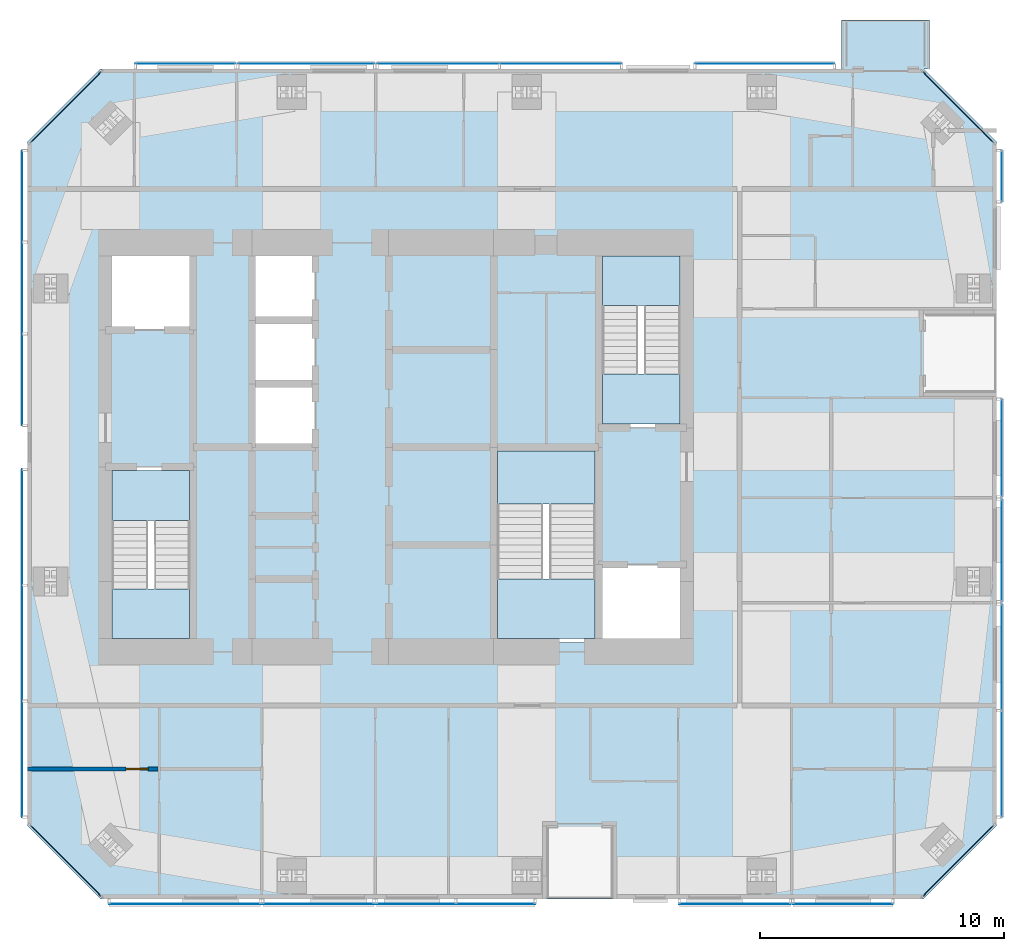
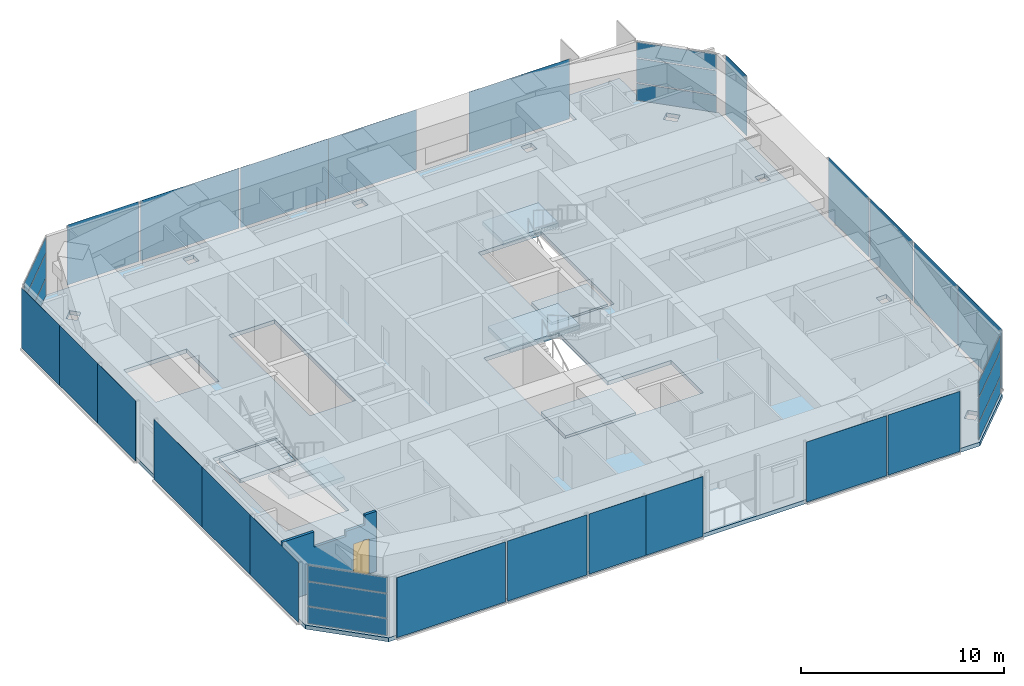
# One storey, part 13 of 20: 34 plates, 7 slabs, 1 door, 1 wall, 1 opening, 22 elements without a shape of their own.
"""IFC4 building model written with IfcOpenShell, lengths in metres."""

from ifc_helpers import new_model, si_unit, direction, frame, frame_2d, origin, origin_2d, place, context, subcontext, project, spatial, polyline, rectangle, outline, extrude, material, layer, layer_set, constituent, constituent_set, type_object, element, fill, aggregate, save


model = new_model("IFC4")

# Units and contexts
model_context = context("Model", 3, precision=1e-05, world=origin(), true_north=direction((0.0, 1.0)))
body_context = subcontext(model_context, "Body", "Model", "MODEL_VIEW")
ifc_project = project(units=[si_unit("LENGTHUNIT", "METRE"), si_unit("AREAUNIT", "SQUARE_METRE"), si_unit("VOLUMEUNIT", "CUBIC_METRE"), si_unit("PLANEANGLEUNIT", "RADIAN"), si_unit("MASSUNIT", "GRAM", prefix="KILO")], contexts=[model_context])

# Site, building, storey
site_placement = place(None, origin())
site = spatial("IfcSite", under=ifc_project, at=site_placement, CompositionType="ELEMENT")
building_placement = place(site_placement, origin())
building = spatial("IfcBuilding", under=site, at=building_placement, Name="Jalousie Tower", CompositionType="ELEMENT")
storey_placement = place(building_placement, frame((0.0, 0.0, 263.85009765625)))
storey = spatial("IfcBuildingStorey", under=building, at=storey_placement, Name="L72", CompositionType="ELEMENT", Elevation=263.85009765625)

# Slab
ifc_material_1 = material(Name="Concrete f'c 40 MPa", Category="concrete")
ifc_layer_1 = layer(ifc_material_1, 0.239990234375)
ifc_layer_set_1 = layer_set([ifc_layer_1], Name="Concrete f'c 40 MPa")
slab_type_1 = type_object("IfcSlabType", Name="FLOOR SLAB 240", PredefinedType="FLOOR", material=ifc_layer_set_1)
slab_1_placement = place(storey_placement, frame((0.0, 0.0, -0.239990234375)))
element("IfcSlab", 1, at=slab_1_placement, inside=storey, type_object=slab_type_1, Name="L72 floor slab", PredefinedType="FLOOR", context=body_context, shape_type="SweptSolid", body=[
    extrude(outline(polyline([(16.800048828125, 3.0), (16.800048828125, 31.0), (19.800048828125, 34.0), (50.148681640625, 34.0), (50.148681640625, 36.0), (53.748779296875, 36.0), (53.748779296875, 34.0), (53.5, 34.0), (56.5, 31.0), (56.5, 3.0), (53.5, 0.0), (19.800048828125, 0.0), (16.800048828125, 3.0)]), holes=[polyline([(55.263916015625, 13.300048828125), (55.263916015625, 12.699951171875), (55.836181640625, 12.699951171875), (55.836181640625, 13.300048828125), (55.263916015625, 13.300048828125)]), polyline([(55.836181640625, 24.699951171875), (55.836181640625, 25.300048828125), (55.263916015625, 25.300048828125), (55.263916015625, 24.699951171875), (55.836181640625, 24.699951171875)]), polyline([(54.247802734375, 32.242919921875), (53.843017578125, 31.837890625), (54.337890625, 31.343017578125), (54.742919921875, 31.747802734375), (54.247802734375, 32.242919921875)]), polyline([(54.247802734375, 1.757080078125), (54.742919921875, 2.252197265625), (54.337890625, 2.656982421875), (53.843017578125, 2.162109375), (54.247802734375, 1.757080078125)]), polyline([(46.574951171875, 32.763916015625), (47.175048828125, 32.763916015625), (47.175048828125, 33.336181640625), (46.574951171875, 33.336181640625), (46.574951171875, 32.763916015625)]), polyline([(46.574951171875, 0.663818359375), (47.175048828125, 0.663818359375), (47.175048828125, 1.236083984375), (46.574951171875, 1.236083984375), (46.574951171875, 0.663818359375)]), polyline([(43.800048828125, 10.5), (43.800048828125, 13.699951171875), (40.199951171875, 13.699951171875), (40.199951171875, 18.5), (35.89990234375, 18.5), (35.89990234375, 10.5), (43.800048828125, 10.5)]), polyline([(43.800048828125, 19.300048828125), (43.800048828125, 26.5), (40.199951171875, 26.5), (40.199951171875, 19.300048828125), (43.800048828125, 19.300048828125)]), polyline([(36.949951171875, 32.763916015625), (37.550048828125, 32.763916015625), (37.550048828125, 33.336181640625), (36.949951171875, 33.336181640625), (36.949951171875, 32.763916015625)]), polyline([(37.550048828125, 1.236083984375), (36.949951171875, 1.236083984375), (36.949951171875, 0.663818359375), (37.550048828125, 0.663818359375), (37.550048828125, 1.236083984375)]), polyline([(28.60009765625, 18.5), (28.60009765625, 26.5), (26.0, 26.5), (26.0, 18.5), (28.60009765625, 18.5)]), polyline([(27.324951171875, 32.763916015625), (27.925048828125, 32.763916015625), (27.925048828125, 33.336181640625), (27.324951171875, 33.336181640625), (27.324951171875, 32.763916015625)]), polyline([(27.324951171875, 0.663818359375), (27.925048828125, 0.663818359375), (27.925048828125, 1.236083984375), (27.324951171875, 1.236083984375), (27.324951171875, 0.663818359375)]), polyline([(23.60009765625, 23.300048828125), (23.60009765625, 26.5), (20.0, 26.5), (20.0, 23.300048828125), (23.60009765625, 23.300048828125)]), polyline([(23.60009765625, 10.5), (23.60009765625, 17.699951171875), (20.0, 17.699951171875), (20.0, 10.5), (23.60009765625, 10.5)]), polyline([(19.757080078125, 2.252197265625), (20.252197265625, 1.757080078125), (20.656982421875, 2.162109375), (20.162109375, 2.656982421875), (19.757080078125, 2.252197265625)]), polyline([(19.757080078125, 31.747802734375), (20.162109375, 31.343017578125), (20.656982421875, 31.837890625), (20.252197265625, 32.242919921875), (19.757080078125, 31.747802734375)]), polyline([(18.0361328125, 12.699951171875), (18.0361328125, 13.300048828125), (17.4638671875, 13.300048828125), (17.4638671875, 12.699951171875), (18.0361328125, 12.699951171875)]), polyline([(17.4638671875, 25.300048828125), (17.4638671875, 24.699951171875), (18.0361328125, 24.699951171875), (18.0361328125, 25.300048828125), (17.4638671875, 25.300048828125)])]), origin(), (0.0, 0.0, 1.0), 0.239990234375),
])

# Curtain wall, plates
ifc_material_2 = material(Name="Aluminium curtain wall", Category="aluminium")
curtain_wall_type_1 = type_object("IfcCurtainWallType", Name="PENTHOUSE CORNER WINDOW WALL", PredefinedType="USERDEFINED", material=ifc_material_2)
curtain_wall_1_placement = place(storey_placement, origin())
curtain_wall_1 = element("IfcCurtainWall", 2, at=curtain_wall_1_placement, inside=storey, type_object=curtain_wall_type_1, Name="Penthouse Corner Window Wall L72 2", ObjectType="PENTHOUSE CORNER WINDOW WALL", PredefinedType="USERDEFINED")
ifc_material_3 = material(Name="Laminated impact-rated spandrel glass", Category="glass")
ifc_layer_2 = layer(ifc_material_3, 0.033935546875)
ifc_layer_set_2 = layer_set([ifc_layer_2], Name="Laminated impact-rated spandrel glass")
plate_type_1 = type_object("IfcPlateType", Name="PENTHOUSE CORNER WINDOW WALL PANEL", PredefinedType="CURTAIN_PANEL", material=ifc_layer_set_2)
plate_1_placement = place(storey_placement, frame((54.9306640625, 1.5693359375, 0.06005859375), z_axis=(0.0, 0.0, 1.0), x_axis=(0.707106781187, 0.707106781187, 0.0)))
plate_1 = element("IfcPlate", 3, at=plate_1_placement, type_object=plate_type_1, Name="CW-H panel 1.1", PredefinedType="CURTAIN_PANEL", context=body_context, shape_type="SweptSolid", body=[
    extrude(rectangle(XDim=4.071533203125, YDim=0.033935546875, at=origin_2d()), origin(), (0.0, 0.0, 1.0), 1.010009765625),
])
plate_2_placement = place(storey_placement, frame((54.9306640625, 1.5693359375, 1.1298828125), z_axis=(0.0, 0.0, 1.0), x_axis=(0.707106781187, 0.707106781187, 0.0)))
plate_2 = element("IfcPlate", 4, at=plate_2_placement, type_object=plate_type_1, Name="CW-H panel 1.2", PredefinedType="CURTAIN_PANEL", context=body_context, shape_type="SweptSolid", body=[
    extrude(rectangle(XDim=4.071533203125, YDim=0.033935546875, at=origin_2d()), origin(), (0.0, 0.0, 1.0), 1.43994140625),
])
plate_3_placement = place(storey_placement, frame((54.9306640625, 1.5693359375, 2.6298828125), z_axis=(0.0, 0.0, 1.0), x_axis=(0.707106781187, 0.707106781187, 0.0)))
plate_3 = element("IfcPlate", 5, at=plate_3_placement, type_object=plate_type_1, Name="CW-H panel 1.3", PredefinedType="CURTAIN_PANEL", context=body_context, shape_type="SweptSolid", body=[
    extrude(rectangle(XDim=4.071533203125, YDim=0.033935546875, at=origin_2d()), origin(), (0.0, 0.0, 1.0), 0.929931640625),
])
aggregate(curtain_wall_1, [plate_1, plate_2, plate_3])

curtain_wall_2_placement = place(storey_placement, origin())
curtain_wall_2 = element("IfcCurtainWall", 6, at=curtain_wall_2_placement, inside=storey, type_object=curtain_wall_type_1, Name="Penthouse Corner Window Wall L72 4", ObjectType="PENTHOUSE CORNER WINDOW WALL", PredefinedType="USERDEFINED")
plate_4_placement = place(storey_placement, frame((54.9306640625, 32.4306640625, 0.06005859375), z_axis=(0.0, 0.0, 1.0), x_axis=(-0.707106781187, 0.707106781187, 0.0)))
plate_4 = element("IfcPlate", 7, at=plate_4_placement, type_object=plate_type_1, Name="CW-H panel 1.1", PredefinedType="CURTAIN_PANEL", context=body_context, shape_type="SweptSolid", body=[
    extrude(rectangle(XDim=4.071533203125, YDim=0.033935546875, at=origin_2d()), origin(), (0.0, 0.0, 1.0), 1.010009765625),
])
plate_5_placement = place(storey_placement, frame((54.9306640625, 32.4306640625, 1.1298828125), z_axis=(0.0, 0.0, 1.0), x_axis=(-0.707106781187, 0.707106781187, 0.0)))
plate_5 = element("IfcPlate", 8, at=plate_5_placement, type_object=plate_type_1, Name="CW-H panel 1.2", PredefinedType="CURTAIN_PANEL", context=body_context, shape_type="SweptSolid", body=[
    extrude(rectangle(XDim=4.071533203125, YDim=0.033935546875, at=origin_2d()), origin(), (0.0, 0.0, 1.0), 1.43994140625),
])
plate_6_placement = place(storey_placement, frame((54.9306640625, 32.4306640625, 2.6298828125), z_axis=(0.0, 0.0, 1.0), x_axis=(-0.707106781187, 0.707106781187, 0.0)))
plate_6 = element("IfcPlate", 9, at=plate_6_placement, type_object=plate_type_1, Name="CW-H panel 1.3", PredefinedType="CURTAIN_PANEL", context=body_context, shape_type="SweptSolid", body=[
    extrude(rectangle(XDim=4.071533203125, YDim=0.033935546875, at=origin_2d()), origin(), (0.0, 0.0, 1.0), 0.929931640625),
])
aggregate(curtain_wall_2, [plate_4, plate_5, plate_6])

curtain_wall_3_placement = place(storey_placement, origin())
curtain_wall_3 = element("IfcCurtainWall", 10, at=curtain_wall_3_placement, inside=storey, type_object=curtain_wall_type_1, Name="Penthouse Corner Window Wall L72 6", ObjectType="PENTHOUSE CORNER WINDOW WALL", PredefinedType="USERDEFINED")
plate_7_placement = place(storey_placement, frame((18.369384765625, 32.4306640625, 0.06005859375), z_axis=(0.0, 0.0, 1.0), x_axis=(-0.707106781187, -0.707106781187, 0.0)))
plate_7 = element("IfcPlate", 11, at=plate_7_placement, type_object=plate_type_1, Name="CW-H panel 1.1", PredefinedType="CURTAIN_PANEL", context=body_context, shape_type="SweptSolid", body=[
    extrude(rectangle(XDim=4.071533203125, YDim=0.033935546875, at=origin_2d()), origin(), (0.0, 0.0, 1.0), 1.010009765625),
])
plate_8_placement = place(storey_placement, frame((18.369384765625, 32.4306640625, 1.1298828125), z_axis=(0.0, 0.0, 1.0), x_axis=(-0.707106781187, -0.707106781187, 0.0)))
plate_8 = element("IfcPlate", 12, at=plate_8_placement, type_object=plate_type_1, Name="CW-H panel 1.2", PredefinedType="CURTAIN_PANEL", context=body_context, shape_type="SweptSolid", body=[
    extrude(rectangle(XDim=4.071533203125, YDim=0.033935546875, at=origin_2d()), origin(), (0.0, 0.0, 1.0), 1.43994140625),
])
plate_9_placement = place(storey_placement, frame((18.369384765625, 32.4306640625, 2.6298828125), z_axis=(0.0, 0.0, 1.0), x_axis=(-0.707106781187, -0.707106781187, 0.0)))
plate_9 = element("IfcPlate", 13, at=plate_9_placement, type_object=plate_type_1, Name="CW-H panel 1.3", PredefinedType="CURTAIN_PANEL", context=body_context, shape_type="SweptSolid", body=[
    extrude(rectangle(XDim=4.071533203125, YDim=0.033935546875, at=origin_2d()), origin(), (0.0, 0.0, 1.0), 0.929931640625),
])
aggregate(curtain_wall_3, [plate_7, plate_8, plate_9])

curtain_wall_4_placement = place(storey_placement, origin())
curtain_wall_4 = element("IfcCurtainWall", 14, at=curtain_wall_4_placement, inside=storey, type_object=curtain_wall_type_1, Name="Penthouse Corner Window Wall L72 8", ObjectType="PENTHOUSE CORNER WINDOW WALL", PredefinedType="USERDEFINED")
plate_10_placement = place(storey_placement, frame((18.369384765625, 1.5693359375, 0.06005859375), z_axis=(0.0, 0.0, 1.0), x_axis=(0.707106781187, -0.707106781187, 0.0)))
plate_10 = element("IfcPlate", 15, at=plate_10_placement, type_object=plate_type_1, Name="CW-H panel 1.1", PredefinedType="CURTAIN_PANEL", context=body_context, shape_type="SweptSolid", body=[
    extrude(rectangle(XDim=4.071533203125, YDim=0.033935546875, at=origin_2d()), origin(), (0.0, 0.0, 1.0), 1.010009765625),
])
plate_11_placement = place(storey_placement, frame((18.369384765625, 1.5693359375, 1.1298828125), z_axis=(0.0, 0.0, 1.0), x_axis=(0.707106781187, -0.707106781187, 0.0)))
plate_11 = element("IfcPlate", 16, at=plate_11_placement, type_object=plate_type_1, Name="CW-H panel 1.2", PredefinedType="CURTAIN_PANEL", context=body_context, shape_type="SweptSolid", body=[
    extrude(rectangle(XDim=4.071533203125, YDim=0.033935546875, at=origin_2d()), origin(), (0.0, 0.0, 1.0), 1.43994140625),
])
plate_12_placement = place(storey_placement, frame((18.369384765625, 1.5693359375, 2.6298828125), z_axis=(0.0, 0.0, 1.0), x_axis=(0.707106781187, -0.707106781187, 0.0)))
plate_12 = element("IfcPlate", 17, at=plate_12_placement, type_object=plate_type_1, Name="CW-H panel 1.3", PredefinedType="CURTAIN_PANEL", context=body_context, shape_type="SweptSolid", body=[
    extrude(rectangle(XDim=4.071533203125, YDim=0.033935546875, at=origin_2d()), origin(), (0.0, 0.0, 1.0), 0.929931640625),
])
aggregate(curtain_wall_4, [plate_10, plate_11, plate_12])

# Curtain wall, plate
ifc_material_4 = material(Name="Perforated aluminium sheet", Category="aluminium")
curtain_wall_type_2 = type_object("IfcCurtainWallType", Name="SOLAR SCREEN SS-2", PredefinedType="USERDEFINED", material=ifc_material_4)
curtain_wall_5_placement = place(storey_placement, origin())
curtain_wall_5 = element("IfcCurtainWall", 18, at=curtain_wall_5_placement, inside=storey, type_object=curtain_wall_type_2, Name="Solar screen L72", ObjectType="SOLAR SCREEN SS-2", PredefinedType="USERDEFINED")
ifc_material_5 = material(Name="Perforated aluminium sheet", Category="aluminium")
ifc_layer_3 = layer(ifc_material_5, 0.006103515625)
ifc_layer_set_3 = layer_set([ifc_layer_3], Name="Perforated aluminium sheet")
plate_type_2 = type_object("IfcPlateType", Name="SOLAR SCREEN SS-2 PANEL", PredefinedType="CURTAIN_PANEL", material=ifc_layer_set_3)
plate_13_placement = place(storey_placement, frame((23.250732421875, -0.201171875, -0.000244140625), z_axis=(0.0, 0.0, 1.0), x_axis=(1.0, 0.0, 0.0)))
plate_13 = element("IfcPlate", 19, at=plate_13_placement, type_object=plate_type_2, Name="SS2 perforated panel 1", PredefinedType="CURTAIN_PANEL", context=body_context, shape_type="SweptSolid", body=[
    extrude(rectangle(XDim=6.19873046875, YDim=0.006103515625, at=origin_2d()), origin(), (0.0, 0.0, 1.0), 3.6201171875),
])
aggregate(curtain_wall_5, [plate_13])

curtain_wall_6_placement = place(storey_placement, origin())
curtain_wall_6 = element("IfcCurtainWall", 20, at=curtain_wall_6_placement, inside=storey, type_object=curtain_wall_type_2, Name="Solar screen L72", ObjectType="SOLAR SCREEN SS-2", PredefinedType="USERDEFINED")
plate_14_placement = place(storey_placement, frame((28.72509765625, -0.201171875, -0.000244140625), z_axis=(0.0, 0.0, 1.0), x_axis=(1.0, 0.0, 0.0)))
plate_14 = element("IfcPlate", 21, at=plate_14_placement, type_object=plate_type_2, Name="SS2 perforated panel 1", PredefinedType="CURTAIN_PANEL", context=body_context, shape_type="SweptSolid", body=[
    extrude(rectangle(XDim=4.550048828125, YDim=0.006103515625, at=origin_2d()), origin(), (0.0, 0.0, 1.0), 3.6201171875),
])
aggregate(curtain_wall_6, [plate_14])

# Curtain wall, plates
curtain_wall_7_placement = place(storey_placement, origin())
curtain_wall_7 = element("IfcCurtainWall", 22, at=curtain_wall_7_placement, inside=storey, type_object=curtain_wall_type_2, Name="Solar screen L72", ObjectType="SOLAR SCREEN SS-2", PredefinedType="USERDEFINED")
plate_15_placement = place(storey_placement, frame((32.72509765625, -0.201171875, -0.000244140625), z_axis=(0.0, 0.0, 1.0), x_axis=(1.0, 0.0, 0.0)))
plate_15 = element("IfcPlate", 23, at=plate_15_placement, type_object=plate_type_2, Name="SS2 perforated panel 1", PredefinedType="CURTAIN_PANEL", context=body_context, shape_type="SweptSolid", body=[
    extrude(rectangle(XDim=3.25, YDim=0.006103515625, at=origin_2d()), origin(), (0.0, 0.0, 1.0), 3.6201171875),
])
plate_16_placement = place(storey_placement, frame((35.97509765625, -0.201171875, -0.000244140625), z_axis=(0.0, 0.0, 1.0), x_axis=(1.0, 0.0, 0.0)))
plate_16 = element("IfcPlate", 24, at=plate_16_placement, type_object=plate_type_2, Name="SS2 perforated panel 2", PredefinedType="CURTAIN_PANEL", context=body_context, shape_type="SweptSolid", body=[
    extrude(rectangle(XDim=3.25, YDim=0.006103515625, at=origin_2d()), origin(), (0.0, 0.0, 1.0), 3.6201171875),
])
aggregate(curtain_wall_7, [plate_15, plate_16])

# Curtain wall, plate
curtain_wall_8_placement = place(storey_placement, origin())
curtain_wall_8 = element("IfcCurtainWall", 25, at=curtain_wall_8_placement, inside=storey, type_object=curtain_wall_type_2, Name="Solar screen L72", ObjectType="SOLAR SCREEN SS-2", PredefinedType="USERDEFINED")
plate_17_placement = place(storey_placement, frame((45.77490234375, -0.201171875, -0.000244140625), z_axis=(0.0, 0.0, 1.0), x_axis=(1.0, 0.0, 0.0)))
plate_17 = element("IfcPlate", 26, at=plate_17_placement, type_object=plate_type_2, Name="SS2 perforated panel 1", PredefinedType="CURTAIN_PANEL", context=body_context, shape_type="SweptSolid", body=[
    extrude(rectangle(XDim=4.550048828125, YDim=0.006103515625, at=origin_2d()), origin(), (0.0, 0.0, 1.0), 3.6201171875),
])
aggregate(curtain_wall_8, [plate_17])

curtain_wall_9_placement = place(storey_placement, origin())
curtain_wall_9 = element("IfcCurtainWall", 27, at=curtain_wall_9_placement, inside=storey, type_object=curtain_wall_type_2, Name="Solar screen L72", ObjectType="SOLAR SCREEN SS-2", PredefinedType="USERDEFINED")
plate_18_placement = place(storey_placement, frame((50.199951171875, -0.201171875, -0.000244140625), z_axis=(0.0, 0.0, 1.0), x_axis=(1.0, 0.0, 0.0)))
plate_18 = element("IfcPlate", 28, at=plate_18_placement, type_object=plate_type_2, Name="SS2 perforated panel 1", PredefinedType="CURTAIN_PANEL", context=body_context, shape_type="SweptSolid", body=[
    extrude(rectangle(XDim=4.10009765625, YDim=0.006103515625, at=origin_2d()), origin(), (0.0, 0.0, 1.0), 3.6201171875),
])
aggregate(curtain_wall_9, [plate_18])

# Curtain wall, plates
curtain_wall_10_placement = place(storey_placement, origin())
curtain_wall_10 = element("IfcCurtainWall", 29, at=curtain_wall_10_placement, inside=storey, type_object=curtain_wall_type_2, Name="Solar screen L72", ObjectType="SOLAR SCREEN SS-2", PredefinedType="USERDEFINED")
plate_19_placement = place(storey_placement, frame((56.701171875, 5.5322265625, -0.000244140625), z_axis=(0.0, 0.0, 1.0), x_axis=(0.0, 1.0, 0.0)))
plate_19 = element("IfcPlate", 30, at=plate_19_placement, type_object=plate_type_2, Name="SS2 perforated panel 1", PredefinedType="CURTAIN_PANEL", context=body_context, shape_type="SweptSolid", body=[
    extrude(rectangle(XDim=4.36181640625, YDim=0.006103515625, at=origin_2d()), origin(), (0.0, 0.0, 1.0), 3.6201171875),
])
plate_20_placement = place(storey_placement, frame((56.701171875, 9.89404296875, -0.000244140625), z_axis=(0.0, 0.0, 1.0), x_axis=(0.0, 1.0, 0.0)))
plate_20 = element("IfcPlate", 31, at=plate_20_placement, type_object=plate_type_2, Name="SS2 perforated panel 2", PredefinedType="CURTAIN_PANEL", context=body_context, shape_type="SweptSolid", body=[
    extrude(rectangle(XDim=4.36181640625, YDim=0.006103515625, at=origin_2d()), origin(), (0.0, 0.0, 1.0), 3.6201171875),
])
aggregate(curtain_wall_10, [plate_19, plate_20])

# Curtain wall, plate
curtain_wall_11_placement = place(storey_placement, origin())
curtain_wall_11 = element("IfcCurtainWall", 32, at=curtain_wall_11_placement, inside=storey, type_object=curtain_wall_type_2, Name="Solar screen L72", ObjectType="SOLAR SCREEN SS-2", PredefinedType="USERDEFINED")
plate_21_placement = place(storey_placement, frame((56.701171875, 14.27490234375, -0.000244140625), z_axis=(0.0, 0.0, 1.0), x_axis=(0.0, 1.0, 0.0)))
plate_21 = element("IfcPlate", 33, at=plate_21_placement, type_object=plate_type_2, Name="SS2 perforated panel 1", PredefinedType="CURTAIN_PANEL", context=body_context, shape_type="SweptSolid", body=[
    extrude(rectangle(XDim=4.199951171875, YDim=0.006103515625, at=origin_2d()), origin(), (0.0, 0.0, 1.0), 3.6201171875),
])
aggregate(curtain_wall_11, [plate_21])

curtain_wall_12_placement = place(storey_placement, origin())
curtain_wall_12 = element("IfcCurtainWall", 34, at=curtain_wall_12_placement, inside=storey, type_object=curtain_wall_type_2, Name="Solar screen L72", ObjectType="SOLAR SCREEN SS-2", PredefinedType="USERDEFINED")
plate_22_placement = place(storey_placement, frame((56.701171875, 18.47509765625, -0.000244140625), z_axis=(0.0, 0.0, 1.0), x_axis=(0.0, 1.0, 0.0)))
plate_22 = element("IfcPlate", 35, at=plate_22_placement, type_object=plate_type_2, Name="SS2 perforated panel 1", PredefinedType="CURTAIN_PANEL", context=body_context, shape_type="SweptSolid", body=[
    extrude(rectangle(XDim=4.0, YDim=0.006103515625, at=origin_2d()), origin(), (0.0, 0.0, 1.0), 3.6201171875),
])
aggregate(curtain_wall_12, [plate_22])

curtain_wall_13_placement = place(storey_placement, origin())
curtain_wall_13 = element("IfcCurtainWall", 36, at=curtain_wall_13_placement, inside=storey, type_object=curtain_wall_type_2, Name="Solar screen L72", ObjectType="SOLAR SCREEN SS-2", PredefinedType="USERDEFINED")
plate_23_placement = place(storey_placement, frame((56.701171875, 29.601318359375, -0.000244140625), z_axis=(0.0, 0.0, 1.0), x_axis=(0.0, 1.0, 0.0)))
plate_23 = element("IfcPlate", 37, at=plate_23_placement, type_object=plate_type_2, Name="SS2 perforated panel 1", PredefinedType="CURTAIN_PANEL", context=body_context, shape_type="SweptSolid", body=[
    extrude(rectangle(XDim=2.094970703125, YDim=0.006103515625, at=origin_2d()), origin(), (0.0, 0.0, 1.0), 3.6201171875),
])
aggregate(curtain_wall_13, [plate_23])

curtain_wall_14_placement = place(storey_placement, origin())
curtain_wall_14 = element("IfcCurtainWall", 38, at=curtain_wall_14_placement, inside=storey, type_object=curtain_wall_type_2, Name="Solar screen L72", ObjectType="SOLAR SCREEN SS-2", PredefinedType="USERDEFINED")
plate_24_placement = place(storey_placement, frame((46.99365234375, 34.201171875, -0.000244140625), z_axis=(0.0, 0.0, 1.0), x_axis=(-1.0, 0.0, 0.0)))
plate_24 = element("IfcPlate", 39, at=plate_24_placement, type_object=plate_type_2, Name="SS2 perforated panel 1", PredefinedType="CURTAIN_PANEL", context=body_context, shape_type="SweptSolid", body=[
    extrude(rectangle(XDim=5.7099609375, YDim=0.006103515625, at=origin_2d()), origin(), (0.0, 0.0, 1.0), 3.6201171875),
])
aggregate(curtain_wall_14, [plate_24])

# Curtain wall, plates
curtain_wall_15_placement = place(storey_placement, origin())
curtain_wall_15 = element("IfcCurtainWall", 40, at=curtain_wall_15_placement, inside=storey, type_object=curtain_wall_type_2, Name="Solar screen L72", ObjectType="SOLAR SCREEN SS-2", PredefinedType="USERDEFINED")
plate_25_placement = place(storey_placement, frame((38.63525390625, 34.201171875, -0.000244140625), z_axis=(0.0, 0.0, 1.0), x_axis=(-1.0, 0.0, 0.0)))
plate_25 = element("IfcPlate", 41, at=plate_25_placement, type_object=plate_type_2, Name="SS2 perforated panel 1", PredefinedType="CURTAIN_PANEL", context=body_context, shape_type="SweptSolid", body=[
    extrude(rectangle(XDim=5.0068359375, YDim=0.006103515625, at=origin_2d()), origin(), (0.0, 0.0, 1.0), 3.6201171875),
])
plate_26_placement = place(storey_placement, frame((33.62841796875, 34.201171875, -0.000244140625), z_axis=(0.0, 0.0, 1.0), x_axis=(-1.0, 0.0, 0.0)))
plate_26 = element("IfcPlate", 42, at=plate_26_placement, type_object=plate_type_2, Name="SS2 perforated panel 2", PredefinedType="CURTAIN_PANEL", context=body_context, shape_type="SweptSolid", body=[
    extrude(rectangle(XDim=5.0068359375, YDim=0.006103515625, at=origin_2d()), origin(), (0.0, 0.0, 1.0), 3.6201171875),
])
aggregate(curtain_wall_15, [plate_25, plate_26])

# Curtain wall, plate
curtain_wall_16_placement = place(storey_placement, origin())
curtain_wall_16 = element("IfcCurtainWall", 43, at=curtain_wall_16_placement, inside=storey, type_object=curtain_wall_type_2, Name="Solar screen L72", ObjectType="SOLAR SCREEN SS-2", PredefinedType="USERDEFINED")
plate_27_placement = place(storey_placement, frame((28.22509765625, 34.201171875, -0.000244140625), z_axis=(0.0, 0.0, 1.0), x_axis=(-1.0, 0.0, 0.0)))
plate_27 = element("IfcPlate", 44, at=plate_27_placement, type_object=plate_type_2, Name="SS2 perforated panel 1", PredefinedType="CURTAIN_PANEL", context=body_context, shape_type="SweptSolid", body=[
    extrude(rectangle(XDim=5.60009765625, YDim=0.006103515625, at=origin_2d()), origin(), (0.0, 0.0, 1.0), 3.6201171875),
])
aggregate(curtain_wall_16, [plate_27])

curtain_wall_17_placement = place(storey_placement, origin())
curtain_wall_17 = element("IfcCurtainWall", 45, at=curtain_wall_17_placement, inside=storey, type_object=curtain_wall_type_2, Name="Solar screen L72", ObjectType="SOLAR SCREEN SS-2", PredefinedType="USERDEFINED")
plate_28_placement = place(storey_placement, frame((23.275634765625, 34.201171875, -0.000244140625), z_axis=(0.0, 0.0, 1.0), x_axis=(-1.0, 0.0, 0.0)))
plate_28 = element("IfcPlate", 46, at=plate_28_placement, type_object=plate_type_2, Name="SS2 perforated panel 1", PredefinedType="CURTAIN_PANEL", context=body_context, shape_type="SweptSolid", body=[
    extrude(rectangle(XDim=4.0986328125, YDim=0.006103515625, at=origin_2d()), origin(), (0.0, 0.0, 1.0), 3.6201171875),
])
aggregate(curtain_wall_17, [plate_28])

# Curtain wall, plates
curtain_wall_18_placement = place(storey_placement, origin())
curtain_wall_18 = element("IfcCurtainWall", 47, at=curtain_wall_18_placement, inside=storey, type_object=curtain_wall_type_2, Name="Solar screen L72", ObjectType="SOLAR SCREEN SS-2", PredefinedType="USERDEFINED")
plate_29_placement = place(storey_placement, frame((16.598876953125, 28.77392578125, -0.000244140625), z_axis=(0.0, 0.0, 1.0), x_axis=(0.0, -1.0, 0.0)))
plate_29 = element("IfcPlate", 48, at=plate_29_placement, type_object=plate_type_2, Name="SS2 perforated panel 1", PredefinedType="CURTAIN_PANEL", context=body_context, shape_type="SweptSolid", body=[
    extrude(rectangle(XDim=3.74951171875, YDim=0.006103515625, at=origin_2d()), origin(), (0.0, 0.0, 1.0), 3.6201171875),
])
plate_30_placement = place(storey_placement, frame((16.598876953125, 25.0244140625, -0.000244140625), z_axis=(0.0, 0.0, 1.0), x_axis=(0.0, -1.0, 0.0)))
plate_30 = element("IfcPlate", 49, at=plate_30_placement, type_object=plate_type_2, Name="SS2 perforated panel 2", PredefinedType="CURTAIN_PANEL", context=body_context, shape_type="SweptSolid", body=[
    extrude(rectangle(XDim=3.74951171875, YDim=0.006103515625, at=origin_2d()), origin(), (0.0, 0.0, 1.0), 3.6201171875),
])
plate_31_placement = place(storey_placement, frame((16.598876953125, 21.27490234375, -0.000244140625), z_axis=(0.0, 0.0, 1.0), x_axis=(0.0, -1.0, 0.0)))
plate_31 = element("IfcPlate", 50, at=plate_31_placement, type_object=plate_type_2, Name="SS2 perforated panel 3", PredefinedType="CURTAIN_PANEL", context=body_context, shape_type="SweptSolid", body=[
    extrude(rectangle(XDim=3.74951171875, YDim=0.006103515625, at=origin_2d()), origin(), (0.0, 0.0, 1.0), 3.6201171875),
])
aggregate(curtain_wall_18, [plate_29, plate_30, plate_31])

curtain_wall_19_placement = place(storey_placement, origin())
curtain_wall_19 = element("IfcCurtainWall", 51, at=curtain_wall_19_placement, inside=storey, type_object=curtain_wall_type_2, Name="Solar screen L72", ObjectType="SOLAR SCREEN SS-2", PredefinedType="USERDEFINED")
plate_32_placement = place(storey_placement, frame((16.598876953125, 15.22509765625, -0.000244140625), z_axis=(0.0, 0.0, 1.0), x_axis=(0.0, -1.0, 0.0)))
plate_32 = element("IfcPlate", 52, at=plate_32_placement, type_object=plate_type_2, Name="SS2 perforated panel 1", PredefinedType="CURTAIN_PANEL", context=body_context, shape_type="SweptSolid", body=[
    extrude(rectangle(XDim=4.74951171875, YDim=0.006103515625, at=origin_2d()), origin(), (0.0, 0.0, 1.0), 3.6201171875),
])
plate_33_placement = place(storey_placement, frame((16.598876953125, 10.4755859375, -0.000244140625), z_axis=(0.0, 0.0, 1.0), x_axis=(0.0, -1.0, 0.0)))
plate_33 = element("IfcPlate", 53, at=plate_33_placement, type_object=plate_type_2, Name="SS2 perforated panel 2", PredefinedType="CURTAIN_PANEL", context=body_context, shape_type="SweptSolid", body=[
    extrude(rectangle(XDim=4.74951171875, YDim=0.006103515625, at=origin_2d()), origin(), (0.0, 0.0, 1.0), 3.6201171875),
])
plate_34_placement = place(storey_placement, frame((16.598876953125, 5.72607421875, -0.000244140625), z_axis=(0.0, 0.0, 1.0), x_axis=(0.0, -1.0, 0.0)))
plate_34 = element("IfcPlate", 54, at=plate_34_placement, type_object=plate_type_2, Name="SS2 perforated panel 3", PredefinedType="CURTAIN_PANEL", context=body_context, shape_type="SweptSolid", body=[
    extrude(rectangle(XDim=4.74951171875, YDim=0.006103515625, at=origin_2d()), origin(), (0.0, 0.0, 1.0), 3.6201171875),
])
aggregate(curtain_wall_19, [plate_32, plate_33, plate_34])

# Stair, slabs
ifc_material_6 = material(Name="Concrete f'c 40 MPa", Category="concrete")
stair_type = type_object("IfcStairType", Name="EXIT STAIR", PredefinedType="HALF_TURN_STAIR", material=ifc_material_6)
stair_1_placement = place(storey_placement, origin())
stair_1 = element("IfcStair", 55, at=stair_1_placement, inside=storey, type_object=stair_type, Name="Exit stair A L72", PredefinedType="HALF_TURN_STAIR")
ifc_material_7 = material(Name="Concrete f'c 40 MPa", Category="concrete")
ifc_layer_4 = layer(ifc_material_7, 0.25)
ifc_layer_set_4 = layer_set([ifc_layer_4], Name="Concrete f'c 40 MPa")
slab_type_2 = type_object("IfcSlabType", Name="STAIR LANDING 250", PredefinedType="LANDING", material=ifc_layer_set_4)
slab_2_placement = place(storey_placement, frame((0.0, 0.0, -0.25)))
slab_2 = element("IfcSlab", 56, at=slab_2_placement, type_object=slab_type_2, Name="ST-A landing 1", PredefinedType="LANDING", context=body_context, shape_type="SweptSolid", body=[
    extrude(outline(polyline([(20.27490234375, 15.49755859375), (23.449951171875, 15.49755859375), (23.449951171875, 17.550048828125), (20.27490234375, 17.550048828125), (20.27490234375, 15.49755859375)])), origin(), (0.0, 0.0, 1.0), 0.25),
])
slab_3_placement = place(storey_placement, frame((0.0, 0.0, 1.699951171875)))
slab_3 = element("IfcSlab", 57, at=slab_3_placement, type_object=slab_type_2, Name="ST-A landing 2", PredefinedType="LANDING", context=body_context, shape_type="SweptSolid", body=[
    extrude(outline(polyline([(20.27490234375, 10.675048828125), (23.449951171875, 10.675048828125), (23.449951171875, 12.697509765625), (20.27490234375, 12.697509765625), (20.27490234375, 10.675048828125)])), origin(), (0.0, 0.0, 1.0), 0.25),
])
aggregate(stair_1, [slab_2, slab_3])

stair_2_placement = place(storey_placement, origin())
stair_2 = element("IfcStair", 58, at=stair_2_placement, inside=storey, type_object=stair_type, Name="Exit stair B L72", PredefinedType="HALF_TURN_STAIR")
slab_4_placement = place(storey_placement, frame((0.0, 0.0, -0.25)))
slab_4 = element("IfcSlab", 59, at=slab_4_placement, type_object=slab_type_2, Name="ST-B landing 1", PredefinedType="LANDING", context=body_context, shape_type="SweptSolid", body=[
    extrude(outline(polyline([(40.35009765625, 19.449951171875), (43.52490234375, 19.449951171875), (43.52490234375, 21.50244140625), (40.35009765625, 21.50244140625), (40.35009765625, 19.449951171875)])), origin(), (0.0, 0.0, 1.0), 0.25),
])
slab_5_placement = place(storey_placement, frame((0.0, 0.0, 1.699951171875)))
slab_5 = element("IfcSlab", 60, at=slab_5_placement, type_object=slab_type_2, Name="ST-B landing 2", PredefinedType="LANDING", context=body_context, shape_type="SweptSolid", body=[
    extrude(outline(polyline([(40.35009765625, 24.302490234375), (43.52490234375, 24.302490234375), (43.52490234375, 26.324951171875), (40.35009765625, 26.324951171875), (40.35009765625, 24.302490234375)])), origin(), (0.0, 0.0, 1.0), 0.25),
])
aggregate(stair_2, [slab_4, slab_5])

stair_3_placement = place(storey_placement, origin())
stair_3 = element("IfcStair", 61, at=stair_3_placement, inside=storey, type_object=stair_type, Name="Exit stair C L72", PredefinedType="HALF_TURN_STAIR")
slab_6_placement = place(storey_placement, frame((0.0, 0.0, -0.25)))
slab_6 = element("IfcSlab", 62, at=slab_6_placement, type_object=slab_type_2, Name="ST-C landing 1", PredefinedType="LANDING", context=body_context, shape_type="SweptSolid", body=[
    extrude(outline(polyline([(36.050048828125, 10.675048828125), (40.050048828125, 10.675048828125), (40.050048828125, 13.097412109375), (36.050048828125, 13.097412109375), (36.050048828125, 10.675048828125)])), origin(), (0.0, 0.0, 1.0), 0.25),
])
slab_7_placement = place(storey_placement, frame((0.0, 0.0, 1.699951171875)))
slab_7 = element("IfcSlab", 63, at=slab_7_placement, type_object=slab_type_2, Name="ST-C landing 2", PredefinedType="LANDING", context=body_context, shape_type="SweptSolid", body=[
    extrude(outline(polyline([(36.050048828125, 16.177490234375), (40.050048828125, 16.177490234375), (40.050048828125, 18.35009765625), (36.050048828125, 18.35009765625), (36.050048828125, 16.177490234375)])), origin(), (0.0, 0.0, 1.0), 0.25),
])
aggregate(stair_3, [slab_6, slab_7])

# Wall, opening, door
ifc_material_8 = material(Name="Concrete block ASTM C90", Category="concrete")
ifc_constituent_1 = constituent(ifc_material_8, Name="Body")
ifc_material_9 = material(Name="Render")
ifc_constituent_2 = constituent(ifc_material_9, Name="Finish")
ifc_constituent_set = constituent_set(constituents=[ifc_constituent_1, ifc_constituent_2])
wall_type = type_object("IfcWallType", Name="BATHROOM WALL 150", PredefinedType="PLUMBINGWALL", material=ifc_constituent_set)
wall_placement = place(storey_placement, frame((16.800048828125, 5.324951171875, 0.0), z_axis=(0.0, 0.0, 1.0), x_axis=(1.0, 0.0, 0.0)))
wall = element("IfcWall", 64, at=wall_placement, inside=storey, type_object=wall_type, Name="Bathroom Wall 150 L72", PredefinedType="PLUMBINGWALL", context=body_context, shape_type="SweptSolid", body=[
    extrude(outline(polyline([(0.0, 0.0), (5.349853515625, 0.0), (5.35009765625, 3.619873046875), (4.692138671875, 3.619873046875), (4.692138671875, 3.02001953125), (3.60498046875, 3.02001953125), (3.60498046875, 2.699951171875), (1.78955078125, 2.699951171875), (1.78955078125, 3.619873046875), (0.0, 3.619873046875), (0.0, 0.0)])), frame((0.0, 0.074951171875, 0.0), z_axis=(0.0, -1.0, 0.0), x_axis=(1.0, 0.0, 0.0)), (0.0, 0.0, 1.0), 0.14990234375),
])
opening_placement = place(wall_placement, frame((4.050048828125, 0.0, 0.0)))
opening = element("IfcOpeningElement", 65, at=opening_placement, cuts=wall, Name="Opening D3", PredefinedType="OPENING", context=body_context, shape_type="SweptSolid", body=[
    extrude(rectangle(XDim=0.89990234375, YDim=2.10009765625, at=frame_2d((0.449951171875, 1.050048828125))), frame((0.0, 0.0849609375, 0.0), z_axis=(0.0, -1.0, 0.0), x_axis=(1.0, 0.0, 0.0)), (0.0, 0.0, 1.0), 0.169921875),
])
ifc_material_10 = material(Name="Timber door", Category="wood")
door_type = type_object("IfcDoorType", Name="BATHROOM DOOR 900", OperationType="SINGLE_SWING_LEFT", PredefinedType="DOOR", material=ifc_material_10)
door_placement = place(opening_placement, origin())
door = element("IfcDoor", 66, at=door_placement, inside=storey, type_object=door_type, Name="Apartment 7201 bedroom 1 bathroom door", OperationType="SINGLE_SWING_RIGHT", OverallHeight=2.10009765625, OverallWidth=0.89990234375, PredefinedType="DOOR", context=body_context, shape_type="SweptSolid", body=[
    extrude(rectangle(XDim=0.89990234375, YDim=2.10009765625, at=frame_2d((0.449951171875, 1.050048828125))), frame((0.0, 0.02490234375, 0.0), z_axis=(0.0, -1.0, 0.0), x_axis=(1.0, 0.0, 0.0)), (0.0, 0.0, 1.0), 0.050048828125),
])
fill(opening, door)

save(model, "model.ifc")
